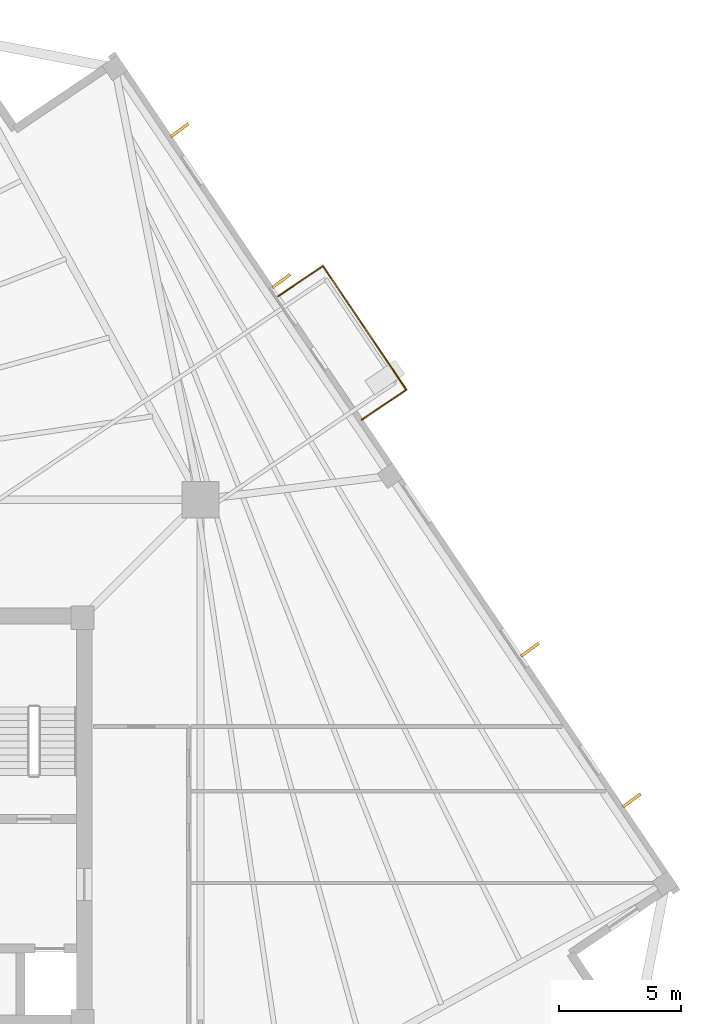
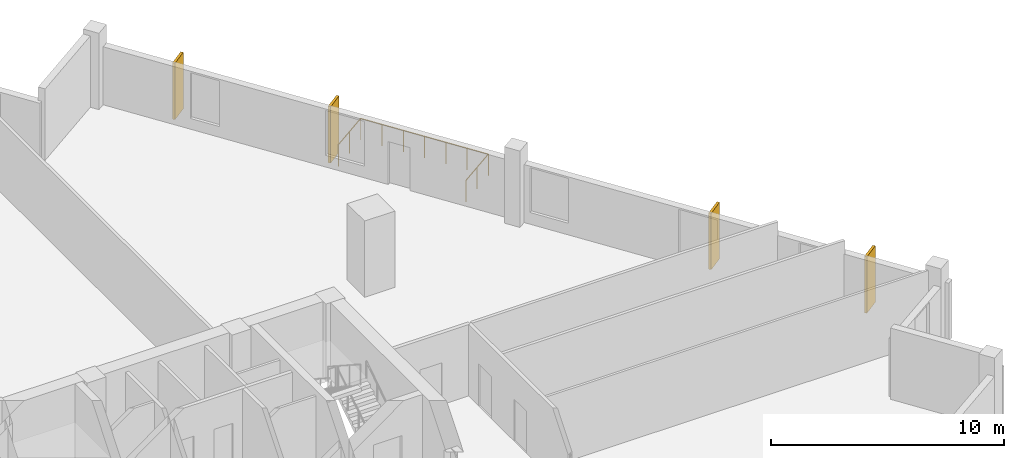
# One storey, part 9 of 9: 4 coverings, 3 railings.
"""IFC4 building model written with IfcOpenShell, lengths in metres."""

from ifc_helpers import new_model, si_unit, direction, frame, origin, origin_2d, place, context, subcontext, project, spatial, rectangle, circle, extrude, source, transform, mapped, material, layer, layer_set, type_object, element, save


model = new_model("IFC4")

# Units and contexts
model_context = context("Model", 3, precision=1e-05, world=origin(), true_north=direction((0.0, 1.0)))
body_context = subcontext(model_context, "Body", "Model", "MODEL_VIEW")
ifc_project = project(units=[si_unit("LENGTHUNIT", "METRE"), si_unit("AREAUNIT", "SQUARE_METRE"), si_unit("VOLUMEUNIT", "CUBIC_METRE"), si_unit("PLANEANGLEUNIT", "RADIAN"), si_unit("MASSUNIT", "GRAM", prefix="KILO"), si_unit("THERMODYNAMICTEMPERATUREUNIT", "KELVIN")], contexts=[model_context])

# Site, building, storey
site_placement = place(None, origin())
site = spatial("IfcSite", under=ifc_project, at=site_placement, CompositionType="ELEMENT")
building_placement = place(site_placement, origin())
building = spatial("IfcBuilding", under=site, at=building_placement, Name="Kosmvard Interchange Tower", CompositionType="ELEMENT")
storey_placement = place(building_placement, frame((0.0, 0.0, 192.39990234375)))
storey = spatial("IfcBuildingStorey", under=building, at=storey_placement, Name="L46", CompositionType="ELEMENT", Elevation=192.39990234375)

# Coverings
ifc_material_1 = material(Name="Architectural anodised aluminium", Category="aluminium")
ifc_layer = layer(ifc_material_1, 0.1201171875, Name="Architectural anodised aluminium")
ifc_layer_set = layer_set([ifc_layer], Name="Architectural anodised aluminium")
covering_type = type_object("IfcCoveringType", Name="Rotating Vertical Sun-Breaker Fin 900x120 Aluminium", PredefinedType="CLADDING", material=ifc_layer_set)
shared_shape_1 = source(origin(), body_context, "Body", "SweptSolid", [
    extrude(rectangle(XDim=0.89990234375, YDim=0.1201171875, at=origin_2d()), origin(), (0.0, 0.0, 1.0), 2.9599609375),
])
for number, where, z_axis, x_axis, name in (
    (1, (30.718994140625, 0.774169921875, 0.0400390625), (0.0, 0.0, 1.0), (0.804064443961, 0.59454215154, 0.0), "L46 Rotating Vertical Sun-Breaker Fin 05"),
    (2, (26.557861328125, 6.943115234375, 0.0400390625), (0.0, 0.0, 1.0), (0.804064443961, 0.59454215154, 0.0), "L46 Rotating Vertical Sun-Breaker Fin 06"),
    (3, (16.38623046875, 22.02294921875, 0.0400390625), (0.0, 0.0, 1.0), (0.804064443961, 0.59454215154, 0.0), "L46 Rotating Vertical Sun-Breaker Fin 07"),
    (4, (12.225341796875, 28.192138671875, 0.0400390625), (0.0, 0.0, 1.0), (0.804064443961, 0.59454215154, 0.0), "L46 Rotating Vertical Sun-Breaker Fin 08"),
):
    element("IfcCovering", number, at=place(storey_placement, frame(where, z_axis=z_axis, x_axis=x_axis)), inside=storey, type_object=covering_type, Name=name, PredefinedType="CLADDING", context=body_context, shape_type="MappedRepresentation", body=[
        mapped(shared_shape_1, transform((0.0, 0.0, 0.0), scale=1.0)),
    ])

# Railings
ifc_material_2 = material(Name="Steel S355", Category="steel")
railing_type = type_object("IfcRailingType", Name="Observation & Balcony Glass-Infill Balustrade 1150", PredefinedType="BALUSTRADE", material=ifc_material_2)
shared_shape_2 = source(origin(), body_context, "Body", "SweptSolid", [
    extrude(circle(Radius=0.02392578125, at=origin_2d()), frame((0.0, 0.0, 1.1259765625), z_axis=(0.829050594418, 0.559173597279, 0.0), x_axis=(-0.559173597279, 0.829050594418, 0.0)), (0.0, 0.0, 1.0), 2.2001953125),
    extrude(circle(Radius=0.02099609375, at=origin_2d()), origin(), (0.0, 0.0, 1.0), 1.101806640625),
    extrude(circle(Radius=0.02099609375, at=origin_2d()), frame((0.912109375, 0.615234375, 0.0)), (0.0, 0.0, 1.0), 1.101806640625),
    extrude(circle(Radius=0.02099609375, at=origin_2d()), frame((1.823974609375, 1.230224609375, 0.0)), (0.0, 0.0, 1.0), 1.101806640625),
])
railing_1_placement = place(storey_placement, frame((19.673095703125, 16.345458984375, 0.0)))
element("IfcRailing", 5, at=railing_1_placement, inside=storey, type_object=railing_type, Name="L46 Outdoor Terrace Guard BAL-L46-E-A", PredefinedType="BALUSTRADE", context=body_context, shape_type="MappedRepresentation", body=[
    mapped(shared_shape_2, transform((0.0, 0.0, 0.0), scale=1.0)),
])
shared_shape_3 = source(origin(), body_context, "Body", "SweptSolid", [
    extrude(circle(Radius=0.02392578125, at=origin_2d()), frame((0.0, 0.0, 1.1259765625), z_axis=(-0.55919924627, 0.829033294248, 0.0), x_axis=(-0.829033294248, -0.55919924627, 0.0)), (0.0, 0.0, 1.0), 6.10009765625),
    extrude(circle(Radius=0.02099609375, at=origin_2d()), origin(), (0.0, 0.0, 1.0), 1.101806640625),
    extrude(circle(Radius=0.02099609375, at=origin_2d()), frame((-0.568603515625, 0.8427734375, 0.0)), (0.0, 0.0, 1.0), 1.101806640625),
    extrude(circle(Radius=0.02099609375, at=origin_2d()), frame((-1.136962890625, 1.685791015625, 0.0)), (0.0, 0.0, 1.0), 1.101806640625),
    extrude(circle(Radius=0.02099609375, at=origin_2d()), frame((-1.70556640625, 2.528564453125, 0.0)), (0.0, 0.0, 1.0), 1.101806640625),
    extrude(circle(Radius=0.02099609375, at=origin_2d()), frame((-2.274169921875, 3.371337890625, 0.0)), (0.0, 0.0, 1.0), 1.101806640625),
    extrude(circle(Radius=0.02099609375, at=origin_2d()), frame((-2.842529296875, 4.21435546875, 0.0)), (0.0, 0.0, 1.0), 1.101806640625),
    extrude(circle(Radius=0.02099609375, at=origin_2d()), frame((-3.4111328125, 5.05712890625, 0.0)), (0.0, 0.0, 1.0), 1.101806640625),
])
railing_2_placement = place(storey_placement, frame((21.4970703125, 17.57568359375, 0.0)))
element("IfcRailing", 6, at=railing_2_placement, inside=storey, type_object=railing_type, Name="L46 Outdoor Terrace Guard BAL-L46-E-B", PredefinedType="BALUSTRADE", context=body_context, shape_type="MappedRepresentation", body=[
    mapped(shared_shape_3, transform((0.0, 0.0, 0.0), scale=1.0)),
])
shared_shape_4 = source(origin(), body_context, "Body", "SweptSolid", [
    extrude(circle(Radius=0.02392578125, at=origin_2d()), frame((0.0, 0.0, 1.1259765625), z_axis=(-0.829050594418, -0.559173597279, 0.0), x_axis=(0.559173597279, -0.829050594418, 0.0)), (0.0, 0.0, 1.0), 2.2001953125),
    extrude(circle(Radius=0.02099609375, at=origin_2d()), origin(), (0.0, 0.0, 1.0), 1.101806640625),
    extrude(circle(Radius=0.02099609375, at=origin_2d()), frame((-0.912109375, -0.615234375, 0.0)), (0.0, 0.0, 1.0), 1.101806640625),
    extrude(circle(Radius=0.02099609375, at=origin_2d()), frame((-1.823974609375, -1.230224609375, 0.0)), (0.0, 0.0, 1.0), 1.101806640625),
])
railing_3_placement = place(storey_placement, frame((18.0859375, 22.6328125, 0.0)))
element("IfcRailing", 7, at=railing_3_placement, inside=storey, type_object=railing_type, Name="L46 Outdoor Terrace Guard BAL-L46-E-C", PredefinedType="BALUSTRADE", context=body_context, shape_type="MappedRepresentation", body=[
    mapped(shared_shape_4, transform((0.0, 0.0, 0.0), scale=1.0)),
])

save(model, "model.ifc")
